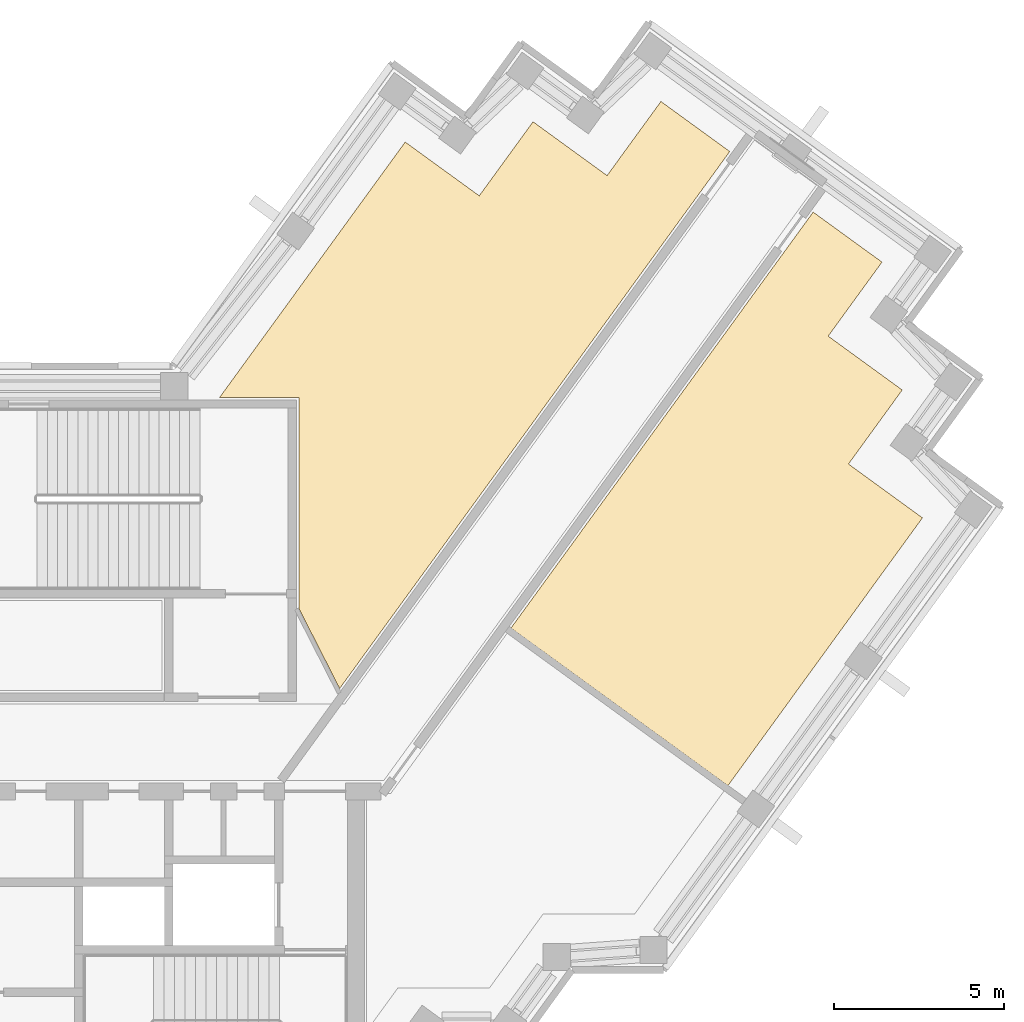
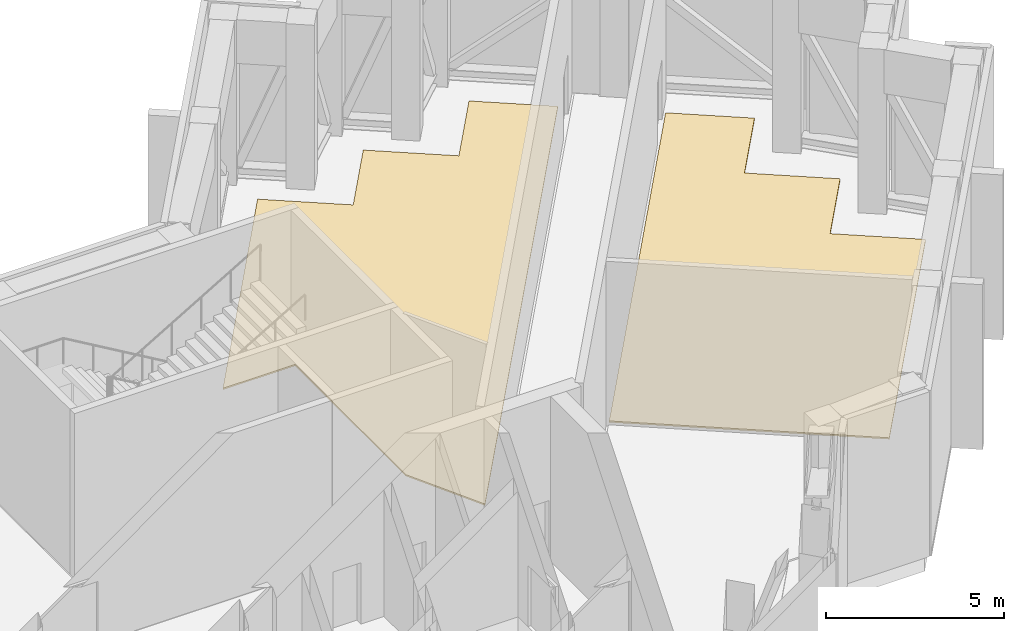
# One storey, part 15 of 15: 2 coverings.
"""IFC4 building model written with IfcOpenShell, lengths in metres."""

from ifc_helpers import new_model, si_unit, direction, frame, origin, place, context, subcontext, project, spatial, polyline, outline, extrude, material, layer, layer_set, type_object, element, save


model = new_model("IFC4")

# Units and contexts
model_context = context("Model", 3, precision=1e-05, world=origin(), true_north=direction((0.0, 1.0)))
body_context = subcontext(model_context, "Body", "Model", "MODEL_VIEW")
ifc_project = project(units=[si_unit("LENGTHUNIT", "METRE"), si_unit("AREAUNIT", "SQUARE_METRE"), si_unit("VOLUMEUNIT", "CUBIC_METRE"), si_unit("PLANEANGLEUNIT", "RADIAN"), si_unit("MASSUNIT", "GRAM", prefix="KILO")], contexts=[model_context])

# Site, building, storey
site_placement = place(None, origin())
site = spatial("IfcSite", under=ifc_project, at=site_placement, CompositionType="ELEMENT")
building_placement = place(site_placement, origin())
building = spatial("IfcBuilding", under=site, at=building_placement, Name="Quipu Civic Tower", CompositionType="ELEMENT")
storey_placement = place(building_placement, frame((0.0, 0.0, 301.0)))
storey = spatial("IfcBuildingStorey", under=building, at=storey_placement, Name="L70", CompositionType="ELEMENT", Elevation=301.0)

# Coverings
ifc_material = material(Name="Sealed cement screed")
ifc_layer = layer(ifc_material, 0.050048828125)
ifc_layer_set = layer_set([ifc_layer], Name="Sealed cement screed")
covering_type = type_object("IfcCoveringType", Name="Sealed screed floor finish 50", PredefinedType="FLOORING", material=ifc_layer_set)
covering_1_placement = place(storey_placement, origin())
element("IfcCovering", 1, at=covering_1_placement, inside=storey, type_object=covering_type, Name="Sealed screed floor finish 50", PredefinedType="FLOORING", context=body_context, shape_type="SweptSolid", body=[
    extrude(outline(polyline([(15.73193359375, 10.169921875), (21.205078125, 17.701904296875), (23.388916015625, 16.115966796875), (24.97607421875, 18.299072265625), (27.159912109375, 16.712890625), (28.748046875, 18.89697265625), (30.779052734375, 17.422119140625), (19.27197265625, 1.583984375), (18.070068359375, 3.94189453125), (18.070068359375, 10.1689453125), (15.73193359375, 10.169921875)])), origin(), (0.0, 0.0, 1.0), 0.050048828125),
])
covering_2_placement = place(storey_placement, origin())
element("IfcCovering", 2, at=covering_2_placement, inside=storey, type_object=covering_type, Name="Sealed screed floor finish 50", PredefinedType="FLOORING", context=body_context, shape_type="SweptSolid", body=[
    extrude(outline(polyline([(24.324951171875, 3.365966796875), (33.238037109375, 15.635009765625), (35.26904296875, 14.159912109375), (33.681884765625, 11.97607421875), (35.865966796875, 10.387939453125), (34.280029296875, 8.2041015625), (36.462890625, 6.616943359375), (30.72412109375, -1.282958984375), (24.324951171875, 3.365966796875)])), origin(), (0.0, 0.0, 1.0), 0.050048828125),
])

save(model, "model.ifc")
